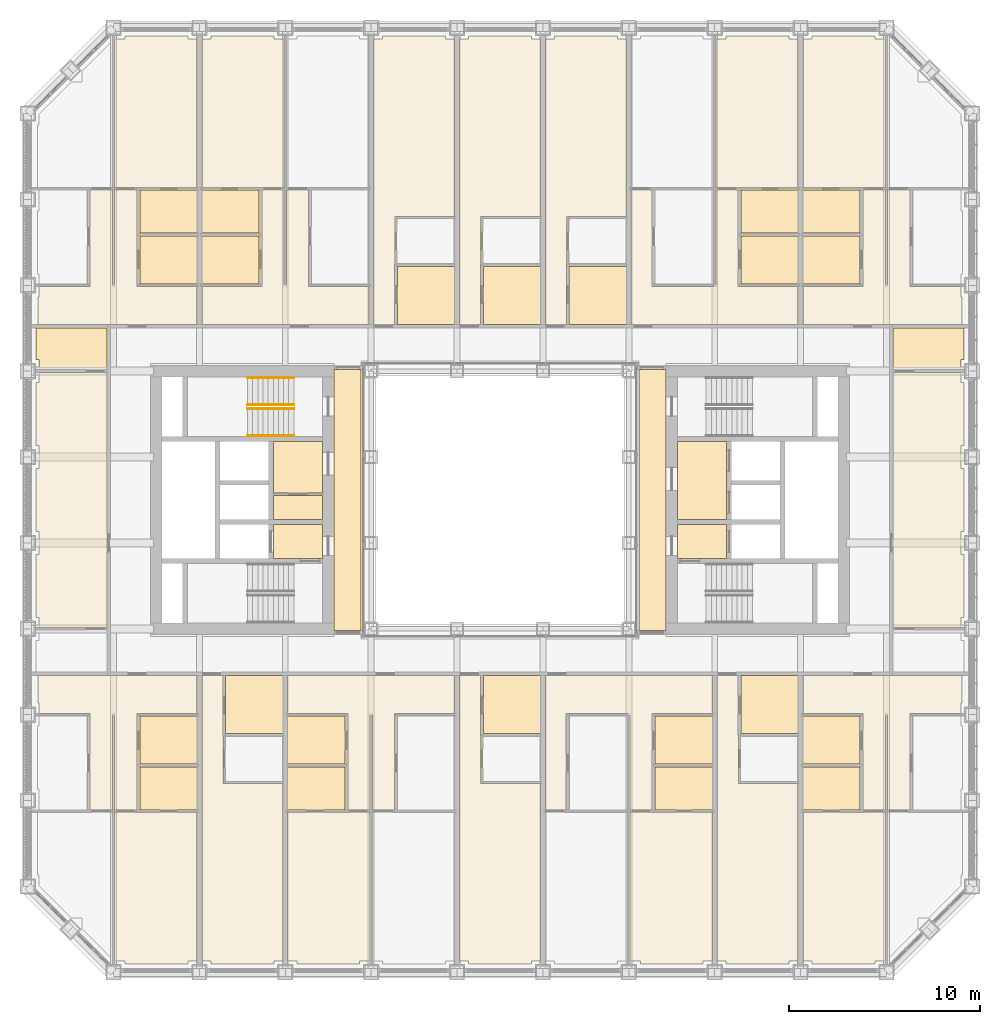
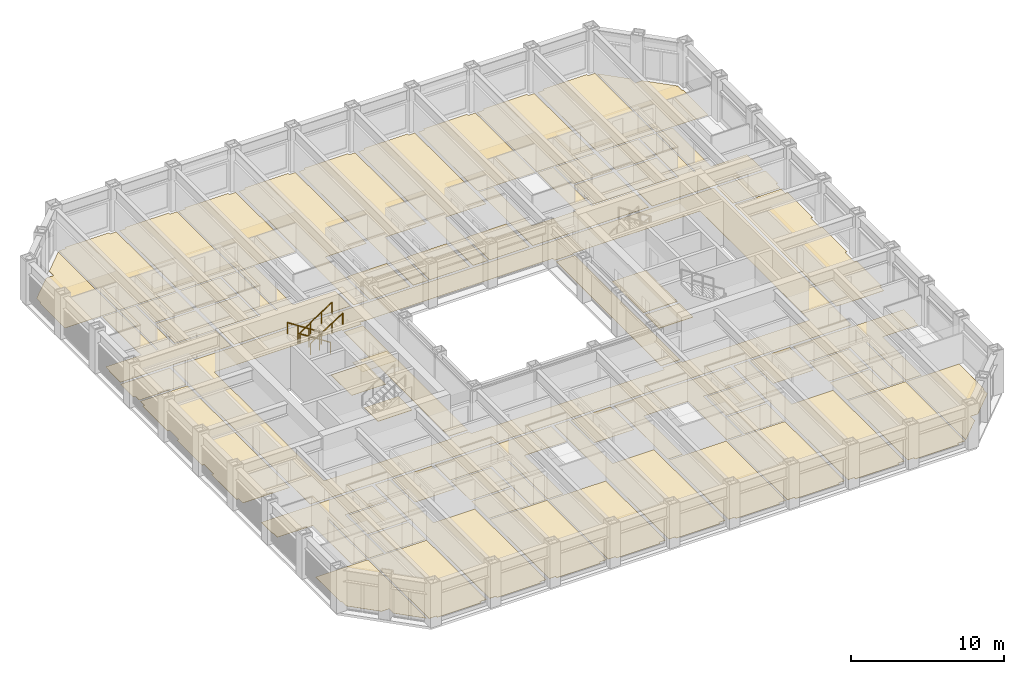
# One storey, part 18 of 21: 5 coverings, 4 railings.
"""IFC4 building model written with IfcOpenShell, lengths in metres."""

import ifcopenshell
import ifcopenshell.guid

model = None  # the IFC model being written
_history = None  # IfcOwnerHistory: only IFC2X3 demands one
_inside = {}  # id of a spatial element -> (the spatial element, [elements in it])
_under = {}  # id of a project, library or spatial element -> (it, [spatial elements below it])
_declared = {}  # id of a project -> (the project, [libraries it declares])
_typed = {}  # id of a type object -> (the type object, [elements of that type])
_made_of = {}  # id of a material, layer set ... -> (it, [elements and type objects made of it])


def new_model(schema):
    """Start an empty IFC model of exactly this schema.

    Asked for "IFC4X3", IfcOpenShell would pick the latest addendum, in which some entities
    have other attributes; the version numbers below select the first issue.
    IFC2X3 requires an IfcOwnerHistory on every rooted entity: one is made here for all.
    """
    global model, _history
    if schema == "IFC4X3":
        model = ifcopenshell.file(schema_version=(4, 3, 0, 0))
    else:
        model = ifcopenshell.file(schema=schema)
    _inside.clear()
    _under.clear()
    _declared.clear()
    _typed.clear()
    _made_of.clear()
    _history = None
    if model.schema == "IFC2X3":
        org = make("IfcOrganization", Name="unknown")
        user = make(
            "IfcPersonAndOrganization",
            ThePerson=make("IfcPerson", FamilyName="unknown"),
            TheOrganization=org,
        )
        app = make(
            "IfcApplication",
            ApplicationDeveloper=org,
            Version="unknown",
            ApplicationFullName="unknown",
            ApplicationIdentifier="unknown",
        )
        _history = make(
            "IfcOwnerHistory",
            OwningUser=user,
            OwningApplication=app,
            ChangeAction="ADDED",
            CreationDate=0,
        )
    return model


def make(cls, **values):
    """One entity of the class cls with the attributes given. An attribute that is None is left unset."""
    return model.create_entity(
        cls, **{name: value for name, value in values.items() if value is not None}
    )


def rooted(cls, **values):
    """An entity with a GlobalId (a new one), such as an element, a storey or a relation."""
    return make(cls, GlobalId=ifcopenshell.guid.new(), OwnerHistory=_history, **values)


def si_unit(unit_type, name, prefix=None):
    """IfcSIUnit, for example si_unit("LENGTHUNIT", "METRE", prefix="MILLI")."""
    return make("IfcSIUnit", UnitType=unit_type, Prefix=prefix, Name=name)


def assignment(units):
    """IfcUnitAssignment: the units of a project."""
    return None if units is None else make("IfcUnitAssignment", Units=units)


def point(xyz):
    """IfcCartesianPoint."""
    return None if xyz is None else make("IfcCartesianPoint", Coordinates=xyz)


def direction(xyz):
    """IfcDirection."""
    return None if xyz is None else make("IfcDirection", DirectionRatios=xyz)


def frame(location, z_axis=None, x_axis=None):
    """IfcAxis2Placement3D, a coordinate frame: its origin and axes. An axis left out is left unset."""
    return make(
        "IfcAxis2Placement3D",
        Location=point(location),
        Axis=direction(z_axis),
        RefDirection=direction(x_axis),
    )


def frame_2d(location, x_axis=None):
    """IfcAxis2Placement2D, a coordinate frame in the plane: its origin and x axis."""
    return make(
        "IfcAxis2Placement2D", Location=point(location), RefDirection=direction(x_axis)
    )


def origin():
    """The frame at (0, 0, 0) with its axes left unset."""
    return frame((0.0, 0.0, 0.0))


def origin_2d():
    """The frame at (0, 0) in the plane with its x axis left unset."""
    return frame_2d((0.0, 0.0))


def place(relative_to, where):
    """IfcLocalPlacement: puts the frame where relative to a parent placement (None: the world)."""
    return make(
        "IfcLocalPlacement", PlacementRelTo=relative_to, RelativePlacement=where
    )


def context(
    kind, dimensions, precision=None, world=None, true_north=None, identifier=None
):
    """IfcGeometricRepresentationContext, for example the 3D "Model" context."""
    return make(
        "IfcGeometricRepresentationContext",
        ContextIdentifier=identifier,
        ContextType=kind,
        CoordinateSpaceDimension=dimensions,
        Precision=precision,
        WorldCoordinateSystem=world,
        TrueNorth=true_north,
    )


def subcontext(parent, identifier, kind, view, scale=None):
    """IfcGeometricRepresentationSubContext, for example "Body" below "Model"."""
    return make(
        "IfcGeometricRepresentationSubContext",
        ContextIdentifier=identifier,
        ContextType=kind,
        ParentContext=parent,
        TargetScale=scale,
        TargetView=view,
    )


def project(units=None, contexts=None):
    """IfcProject with its units and contexts."""
    return rooted(
        "IfcProject",
        Name="project",
        RepresentationContexts=contexts,
        UnitsInContext=assignment(units),
    )


def spatial(cls, under=None, at=None, **own):
    """A site, building, storey or space (cls), placed at a placement, below another one or the project."""
    s = rooted(cls, ObjectPlacement=at, **own)
    if under is not None:
        _under.setdefault(under.id(), (under, []))[1].append(s)
    return s


def point_list(points):
    """IfcCartesianPointList2D or 3D."""
    cls = (
        "IfcCartesianPointList2D" if len(points[0]) == 2 else "IfcCartesianPointList3D"
    )
    return make(cls, CoordList=points)


def line(*indices):
    """IfcLineIndex: a straight run through numbered points of an indexed curve."""
    return model.create_entity("IfcLineIndex", indices)


def indexed_curve(points, segments=None, self_intersect=None):
    """IfcIndexedPolyCurve: lines and arcs through numbered points (the first is 1)."""
    return make(
        "IfcIndexedPolyCurve",
        Points=point_list(points),
        Segments=segments,
        SelfIntersect=self_intersect,
    )


def profile(cls, at=None, kind="AREA", **sizes):
    """A parametric profile (cls). Its sizes go by their IFC names, for example OverallWidth=200.0."""
    return make(cls, ProfileType=kind, Position=at, **sizes)


def circle(**sizes):
    """IfcCircleProfileDef."""
    return profile("IfcCircleProfileDef", **sizes)


def outline(outer, holes=None, kind="AREA"):
    """IfcArbitraryClosedProfileDef: a profile drawn as a closed curve; with holes, ...WithVoids."""
    if holes is None:
        return make("IfcArbitraryClosedProfileDef", ProfileType=kind, OuterCurve=outer)
    return make(
        "IfcArbitraryProfileDefWithVoids",
        ProfileType=kind,
        OuterCurve=outer,
        InnerCurves=holes,
    )


def extrude(swept, where, along, depth):
    """IfcExtrudedAreaSolid: the profile swept, set in the frame where, extruded along a direction by depth."""
    return make(
        "IfcExtrudedAreaSolid",
        SweptArea=swept,
        Position=where,
        ExtrudedDirection=direction(along),
        Depth=depth,
    )


def shape(context_of_items, identifier, shape_type, items):
    """IfcShapeRepresentation: the items that make up one representation, for example the "Body"."""
    return make(
        "IfcShapeRepresentation",
        ContextOfItems=context_of_items,
        RepresentationIdentifier=identifier,
        RepresentationType=shape_type,
        Items=items,
    )


def material(Name=None, Category=None):
    """IfcMaterial."""
    return make("IfcMaterial", Name=Name, Category=Category)


def layer(
    of_material, thickness, ventilated=None, Name=None, Category=None, Priority=None
):
    """IfcMaterialLayer: one layer of a wall or slab, of a material (None: an air gap)."""
    return make(
        "IfcMaterialLayer",
        Material=of_material,
        LayerThickness=thickness,
        IsVentilated=ventilated,
        Name=Name,
        Category=Category,
        Priority=Priority,
    )


def layer_set(layers, Name=None):
    """IfcMaterialLayerSet."""
    return make("IfcMaterialLayerSet", MaterialLayers=layers, LayerSetName=Name)


def made_of(thing, what):
    """Note that an element or type object is made of a material, layer set ...; save() writes the relation."""
    if what is not None:
        _made_of.setdefault(what.id(), (what, []))[1].append(thing)
    return thing


def type_object(cls, material=None, **own):
    """A type object (cls), such as IfcWallType, which elements share."""
    return made_of(rooted(cls, **own), material)


def element(
    cls,
    number,
    at=None,
    inside=None,
    cuts=None,
    type_object=None,
    material=None,
    context=None,
    identifier="Body",
    shape_type=None,
    held_by="IfcProductDefinitionShape",
    body=None,
    shapes=None,
    **own,
):
    """One element of the class cls, such as IfcWall. Its Tag is "e" and its number.

    at: its placement. inside: the storey or other place that contains it. cuts: it is an
    opening in that element (IfcRelVoidsElement). A single representation is given by context,
    identifier, shape_type and body (its items); several are given by shapes. held_by: the class
    of the entity that holds the representations. save() writes the other relations.
    """
    e = rooted(cls, Tag="e%d" % number, ObjectPlacement=at, **own)
    if body is not None:
        shapes = [shape(context, identifier, shape_type, body)]
    if shapes is not None:
        e.Representation = make(held_by, Representations=shapes)
    if inside is not None:
        _inside.setdefault(inside.id(), (inside, []))[1].append(e)
    if cuts is not None:
        rooted(
            "IfcRelVoidsElement", RelatingBuildingElement=cuts, RelatedOpeningElement=e
        )
    if type_object is not None:
        _typed.setdefault(type_object.id(), (type_object, []))[1].append(e)
    return made_of(e, material)


def aggregate(whole, parts):
    """IfcRelAggregates: a whole, such as a stair, and the parts it consists of."""
    return rooted("IfcRelAggregates", RelatingObject=whole, RelatedObjects=parts)


def save(model, path):
    """Write the relations noted so far, then the file.

    IfcRelAggregates (storeys below a building ...), IfcRelContainedInSpatialStructure (elements
    in a storey), IfcRelDefinesByType, IfcRelAssociatesMaterial and IfcRelDeclares: one each for
    every whole, place, type object, material and project.
    """
    for whole, parts in _under.values():
        aggregate(whole, parts)
    for where, things in _inside.values():
        rooted(
            "IfcRelContainedInSpatialStructure",
            RelatedElements=things,
            RelatingStructure=where,
        )
    for kind, things in _typed.values():
        rooted("IfcRelDefinesByType", RelatedObjects=things, RelatingType=kind)
    for what, things in _made_of.values():
        rooted("IfcRelAssociatesMaterial", RelatedObjects=things, RelatingMaterial=what)
    for by, libraries in _declared.values():
        rooted("IfcRelDeclares", RelatingContext=by, RelatedDefinitions=libraries)
    model.write(path)


model = new_model("IFC4")

# Units and contexts
model_context = context("Model", 3, precision=1e-05, world=origin(), true_north=direction((0.0, 1.0)))
body_context = subcontext(model_context, "Body", "Model", "MODEL_VIEW")
ifc_project = project(units=[si_unit("LENGTHUNIT", "METRE"), si_unit("AREAUNIT", "SQUARE_METRE"), si_unit("VOLUMEUNIT", "CUBIC_METRE"), si_unit("PLANEANGLEUNIT", "RADIAN"), si_unit("MASSUNIT", "GRAM", prefix="KILO")], contexts=[model_context])

# Site, building, storey
site_placement = place(None, origin())
site = spatial("IfcSite", under=ifc_project, at=site_placement, CompositionType="ELEMENT")
building_placement = place(site_placement, origin())
building = spatial("IfcBuilding", under=site, at=building_placement, Name="Msasa Ring Tower", CompositionType="ELEMENT")
storey_placement = place(building_placement, frame((0.0, 0.0, 40.5)))
storey = spatial("IfcBuildingStorey", under=building, at=storey_placement, Name="L09", CompositionType="ELEMENT", Elevation=40.5)

# Coverings
ifc_material_1 = material(Name="Mineral fibre ceiling tiles on an exposed steel grid", Category="steel")
ifc_layer_1 = layer(ifc_material_1, 0.02001953125)
ifc_layer_set_1 = layer_set([ifc_layer_1], Name="C3 ACOUSTIC MINERAL FIBRE TILE CEILING 20")
covering_type_1 = type_object("IfcCoveringType", Name="C3 ACOUSTIC MINERAL FIBRE TILE CEILING 20", PredefinedType="CEILING", material=ifc_layer_set_1)
covering_1_placement = place(storey_placement, frame((0.0, 0.0, 2.699951171875)))
element("IfcCovering", 1, at=covering_1_placement, inside=storey, type_object=covering_type_1, Name="Acoustic Mineral Fibre Tile Ceiling 20 L09", PredefinedType="CEILING", context=body_context, shape_type="SweptSolid", body=[
    extrude(outline(indexed_curve([(-11.87451171875, 0.244384765625), (-9.300537109375, 0.244384765625), (-9.300537109375, -1.0244140625), (-11.87451171875, -1.0244140625)], segments=[line(1, 2, 3, 4, 1)], self_intersect=False)), origin(), (0.0, 0.0, 1.0), 0.02001953125),
])
ifc_material_2 = material(Name="Honed granite tiles on a mortar bed", Category="masonry")
ifc_layer_2 = layer(ifc_material_2, 0.030029296875)
ifc_layer_set_2 = layer_set([ifc_layer_2], Name="F1 HONED GRANITE ON BEDDING 30")
covering_type_2 = type_object("IfcCoveringType", Name="F1 HONED GRANITE ON BEDDING 30", PredefinedType="FLOORING", material=ifc_layer_set_2)
covering_2_placement = place(storey_placement, origin())
element("IfcCovering", 2, at=covering_2_placement, inside=storey, type_object=covering_type_2, Name="Honed Granite On Bedding 30 L09", PredefinedType="FLOORING", context=body_context, shape_type="SweptSolid", body=[
    extrude(outline(indexed_curve([(-11.87451171875, -3.074462890625), (-11.87451171875, -1.275390625), (-9.300537109375, -1.275390625), (-9.300537109375, -3.074462890625)], segments=[line(1, 2, 3, 4, 1)], self_intersect=False)), origin(), (0.0, 0.0, 1.0), 0.030029296875),
    extrude(outline(indexed_curve([(-8.699462890625, -6.849609375), (-8.699462890625, 6.849609375), (-7.280029296875, 6.849609375), (-7.280029296875, -6.849609375)], segments=[line(1, 2, 3, 4, 1)], self_intersect=False)), origin(), (0.0, 0.0, 1.0), 0.030029296875),
    extrude(outline(indexed_curve([(8.699462890625, 6.849609375), (8.699462890625, -6.849609375), (7.280029296875, -6.849609375), (7.280029296875, 6.849609375)], segments=[line(1, 2, 3, 4, 1)], self_intersect=False)), origin(), (0.0, 0.0, 1.0), 0.030029296875),
    extrude(outline(indexed_curve([(9.300537109375, -3.074462890625), (9.300537109375, -1.275390625), (11.87451171875, -1.275390625), (11.87451171875, -3.074462890625)], segments=[line(1, 2, 3, 4, 1)], self_intersect=False)), origin(), (0.0, 0.0, 1.0), 0.030029296875),
    extrude(outline(indexed_curve([(9.300537109375, 3.074462890625), (11.87451171875, 3.074462890625), (11.87451171875, -1.0244140625), (9.300537109375, -1.0244140625)], segments=[line(1, 2, 3, 4, 1)], self_intersect=False)), origin(), (0.0, 0.0, 1.0), 0.030029296875),
])
ifc_material_3 = material(Name="Wool-blend carpet on felt underlay", Category="textile")
ifc_layer_3 = layer(ifc_material_3, 0.011962890625)
ifc_layer_set_3 = layer_set([ifc_layer_3], Name="F2 CARPET ON UNDERLAY 12")
covering_type_3 = type_object("IfcCoveringType", Name="F2 CARPET ON UNDERLAY 12", PredefinedType="FLOORING", material=ifc_layer_set_3)
covering_3_placement = place(storey_placement, origin())
element("IfcCovering", 3, at=covering_3_placement, inside=storey, type_object=covering_type_3, Name="Carpet On Underlay 12 L09", PredefinedType="FLOORING", context=body_context, shape_type="SweptSolid", body=[
    extrude(outline(indexed_curve([(-20.310546875, -24.052490234375), (-21.8994140625, -22.46337890625), (-21.8994140625, -21.8994140625), (-22.46337890625, -21.8994140625), (-24.1494140625, -20.21337890625), (-24.1494140625, -19.6494140625), (-24.239501953125, -19.6494140625), (-24.239501953125, -16.35546875), (-20.310546875, -16.35546875)], segments=[line(1, 2, 3, 4, 5, 6, 7, 8, 9, 1)], self_intersect=False)), origin(), (0.0, 0.0, 1.0), 0.011962890625),
    extrude(outline(indexed_curve([(-22.46337890625, 21.8994140625), (-21.8994140625, 21.8994140625), (-21.8994140625, 22.46337890625), (-20.310546875, 24.052490234375), (-20.310546875, 16.35546875), (-24.239501953125, 16.35546875), (-24.239501953125, 19.6494140625), (-24.1494140625, 19.6494140625), (-24.1494140625, 20.21337890625)], segments=[line(1, 2, 3, 4, 5, 6, 7, 8, 9, 1)], self_intersect=False)), origin(), (0.0, 0.0, 1.0), 0.011962890625),
    extrude(outline(indexed_curve([(-20.3994140625, 8.99951171875), (20.3994140625, 8.99951171875), (20.3994140625, -8.99951171875), (-20.3994140625, -8.99951171875)], segments=[line(1, 2, 3, 4, 1)], self_intersect=False), holes=[indexed_curve([(8.699462890625, -7.150390625), (18.300537109375, -7.150390625), (18.300537109375, 7.150390625), (8.699462890625, 7.150390625), (8.699462890625, 7.050537109375), (7.280029296875, 7.050537109375), (7.275390625, 7.275390625), (7.22998046875, 7.280029296875), (-7.22998046875, 7.280029296875), (-7.275390625, 7.275390625), (-7.280029296875, 7.050537109375), (-8.699462890625, 7.050537109375), (-8.699462890625, 7.150390625), (-18.300537109375, 7.150390625), (-18.300537109375, -7.150390625), (-8.699462890625, -7.150390625), (-8.699462890625, -7.050537109375), (-7.280029296875, -7.050537109375), (-7.275390625, -7.275390625), (-7.22998046875, -7.280029296875), (7.22998046875, -7.280029296875), (7.275390625, -7.275390625), (7.280029296875, -7.050537109375), (8.699462890625, -7.050537109375)], segments=[line(1, 2, 3, 4, 5, 6, 7, 8, 9, 10, 11, 12, 13, 14, 15, 16, 17, 18, 19, 20, 21, 22, 23, 24, 1)], self_intersect=False)]), origin(), (0.0, 0.0, 1.0), 0.011962890625),
    extrude(outline(indexed_curve([(-15.87548828125, -13.98046875), (-15.87548828125, -16.244384765625), (-18.869384765625, -16.244384765625), (-18.869384765625, -13.98046875)], segments=[line(1, 2, 3, 4, 1)], self_intersect=False)), origin(), (0.0, 0.0, 1.0), 0.011962890625),
    extrude(outline(indexed_curve([(-15.87548828125, 16.244384765625), (-15.87548828125, 13.98046875), (-18.869384765625, 13.98046875), (-18.869384765625, 16.244384765625)], segments=[line(1, 2, 3, 4, 1)], self_intersect=False)), origin(), (0.0, 0.0, 1.0), 0.011962890625),
    extrude(outline(indexed_curve([(-12.630615234375, 16.244384765625), (-12.630615234375, 13.98046875), (-15.62451171875, 13.98046875), (-15.62451171875, 16.244384765625)], segments=[line(1, 2, 3, 4, 1)], self_intersect=False)), origin(), (0.0, 0.0, 1.0), 0.011962890625),
    extrude(outline(indexed_curve([(-9.300537109375, 3.074462890625), (-9.300537109375, 0.35546875), (-11.87451171875, 0.35546875), (-11.87451171875, 3.074462890625)], segments=[line(1, 2, 3, 4, 1)], self_intersect=False)), origin(), (0.0, 0.0, 1.0), 0.011962890625),
    extrude(outline(indexed_curve([(-7.3505859375, 24.299560546875), (-7.3505859375, 24.1494140625), (-6.87548828125, 24.1494140625), (-6.87548828125, 16.35546875), (-11.189453125, 16.35546875), (-11.189453125, 24.1494140625), (-10.6494140625, 24.1494140625), (-10.6494140625, 24.299560546875)], segments=[line(1, 2, 3, 4, 5, 6, 7, 8, 1)], self_intersect=False)), origin(), (0.0, 0.0, 1.0), 0.011962890625),
    extrude(outline(indexed_curve([(-8.130615234375, -13.98046875), (-8.130615234375, -16.244384765625), (-11.12451171875, -16.244384765625), (-11.12451171875, -13.98046875)], segments=[line(1, 2, 3, 4, 1)], self_intersect=False)), origin(), (0.0, 0.0, 1.0), 0.011962890625),
    extrude(outline(indexed_curve([(-6.1494140625, -24.299560546875), (-6.1494140625, -24.1494140625), (-6.689453125, -24.1494140625), (-6.689453125, -16.35546875), (-2.37548828125, -16.35546875), (-2.37548828125, -24.1494140625), (-2.8505859375, -24.1494140625), (-2.8505859375, -24.299560546875)], segments=[line(1, 2, 3, 4, 5, 6, 7, 8, 1)], self_intersect=False)), origin(), (0.0, 0.0, 1.0), 0.011962890625),
    extrude(outline(indexed_curve([(6.689453125, -24.1494140625), (6.1494140625, -24.1494140625), (6.1494140625, -24.299560546875), (2.8505859375, -24.299560546875), (2.8505859375, -24.1494140625), (2.37548828125, -24.1494140625), (2.37548828125, -16.35546875), (6.689453125, -16.35546875)], segments=[line(1, 2, 3, 4, 5, 6, 7, 8, 1)], self_intersect=False)), origin(), (0.0, 0.0, 1.0), 0.011962890625),
    extrude(outline(indexed_curve([(10.6494140625, 24.299560546875), (10.6494140625, 24.1494140625), (11.189453125, 24.1494140625), (11.189453125, 16.35546875), (6.87548828125, 16.35546875), (6.87548828125, 24.1494140625), (7.3505859375, 24.1494140625), (7.3505859375, 24.299560546875)], segments=[line(1, 2, 3, 4, 5, 6, 7, 8, 1)], self_intersect=False)), origin(), (0.0, 0.0, 1.0), 0.011962890625),
    extrude(outline(indexed_curve([(11.12451171875, -13.98046875), (11.12451171875, -16.244384765625), (8.130615234375, -16.244384765625), (8.130615234375, -13.98046875)], segments=[line(1, 2, 3, 4, 1)], self_intersect=False)), origin(), (0.0, 0.0, 1.0), 0.011962890625),
    extrude(outline(indexed_curve([(15.62451171875, 16.244384765625), (15.62451171875, 13.98046875), (12.630615234375, 13.98046875), (12.630615234375, 16.244384765625)], segments=[line(1, 2, 3, 4, 1)], self_intersect=False)), origin(), (0.0, 0.0, 1.0), 0.011962890625),
    extrude(outline(indexed_curve([(18.869384765625, -13.98046875), (18.869384765625, -16.244384765625), (15.87548828125, -16.244384765625), (15.87548828125, -13.98046875)], segments=[line(1, 2, 3, 4, 1)], self_intersect=False)), origin(), (0.0, 0.0, 1.0), 0.011962890625),
    extrude(outline(indexed_curve([(18.869384765625, 16.244384765625), (18.869384765625, 13.98046875), (15.87548828125, 13.98046875), (15.87548828125, 16.244384765625)], segments=[line(1, 2, 3, 4, 1)], self_intersect=False)), origin(), (0.0, 0.0, 1.0), 0.011962890625),
    extrude(outline(indexed_curve([(24.239501953125, -19.6494140625), (24.1494140625, -19.6494140625), (24.1494140625, -20.21337890625), (22.46337890625, -21.8994140625), (21.8994140625, -21.8994140625), (21.8994140625, -22.46337890625), (20.310546875, -24.052490234375), (20.310546875, -16.35546875), (24.239501953125, -16.35546875)], segments=[line(1, 2, 3, 4, 5, 6, 7, 8, 9, 1)], self_intersect=False)), origin(), (0.0, 0.0, 1.0), 0.011962890625),
    extrude(outline(indexed_curve([(21.8994140625, 22.46337890625), (21.8994140625, 21.8994140625), (22.46337890625, 21.8994140625), (24.1494140625, 20.21337890625), (24.1494140625, 19.6494140625), (24.239501953125, 19.6494140625), (24.239501953125, 16.35546875), (20.310546875, 16.35546875), (20.310546875, 24.052490234375)], segments=[line(1, 2, 3, 4, 5, 6, 7, 8, 9, 1)], self_intersect=False)), origin(), (0.0, 0.0, 1.0), 0.011962890625),
])
ifc_material_4 = material(Name="Engineered oak boards on an acoustic underlay", Category="wood")
ifc_layer_4 = layer(ifc_material_4, 0.01806640625)
ifc_layer_set_4 = layer_set([ifc_layer_4], Name="F3 ENGINEERED TIMBER ON ACOUSTIC UNDERLAY 18")
covering_type_4 = type_object("IfcCoveringType", Name="F3 ENGINEERED TIMBER ON ACOUSTIC UNDERLAY 18", PredefinedType="FLOORING", material=ifc_layer_set_4)
covering_4_placement = place(storey_placement, origin())
element("IfcCovering", 4, at=covering_4_placement, inside=storey, type_object=covering_type_4, Name="Engineered Timber On Acoustic Underlay 18 L09", PredefinedType="FLOORING", context=body_context, shape_type="SweptSolid", body=[
    extrude(outline(indexed_curve([(-24.1494140625, -6.694580078125), (-24.1494140625, -6.1494140625), (-24.299560546875, -6.1494140625), (-24.299560546875, -2.8505859375), (-24.1494140625, -2.8505859375), (-24.1494140625, -1.6494140625), (-24.299560546875, -1.6494140625), (-24.299560546875, 1.6494140625), (-24.1494140625, 1.6494140625), (-24.1494140625, 2.8505859375), (-24.299560546875, 2.8505859375), (-24.299560546875, 6.1494140625), (-24.1494140625, 6.1494140625), (-24.1494140625, 6.66943359375), (-20.6005859375, 6.66943359375), (-20.6005859375, -6.694580078125)], segments=[line(1, 2, 3, 4, 5, 6, 7, 8, 9, 10, 11, 12, 13, 14, 15, 16, 1)], self_intersect=False)), origin(), (0.0, 0.0, 1.0), 0.01806640625),
    extrude(outline(indexed_curve([(-20.310546875, -16.244384765625), (-21.469482421875, -16.244384765625), (-21.469482421875, -11.199462890625), (-24.1494140625, -11.199462890625), (-24.1494140625, -10.6494140625), (-24.199462890625, -10.6494140625), (-24.199462890625, -9.200439453125), (-15.87548828125, -9.200439453125), (-15.87548828125, -11.199462890625), (-19.030517578125, -11.199462890625), (-19.030517578125, -16.244384765625), (-20.189453125, -16.244384765625), (-20.189453125, -11.199462890625), (-20.310546875, -11.199462890625)], segments=[line(1, 2, 3, 4, 5, 6, 7, 8, 9, 10, 11, 12, 13, 14, 1)], self_intersect=False)), origin(), (0.0, 0.0, 1.0), 0.01806640625),
    extrude(outline(indexed_curve([(-20.189453125, 16.244384765625), (-19.030517578125, 16.244384765625), (-19.030517578125, 11.199462890625), (-15.87548828125, 11.199462890625), (-15.87548828125, 9.200439453125), (-24.199462890625, 9.200439453125), (-24.199462890625, 10.6494140625), (-24.1494140625, 10.6494140625), (-24.1494140625, 11.199462890625), (-21.469482421875, 11.199462890625), (-21.469482421875, 16.244384765625), (-20.310546875, 16.244384765625), (-20.310546875, 11.199462890625), (-20.189453125, 11.199462890625)], segments=[line(1, 2, 3, 4, 5, 6, 7, 8, 9, 10, 11, 12, 13, 14, 1)], self_intersect=False)), origin(), (0.0, 0.0, 1.0), 0.01806640625),
    extrude(outline(indexed_curve([(-15.87548828125, -16.35546875), (-15.87548828125, -24.1494140625), (-16.3505859375, -24.1494140625), (-16.3505859375, -24.299560546875), (-19.6494140625, -24.299560546875), (-19.6494140625, -24.1494140625), (-20.189453125, -24.1494140625), (-20.189453125, -16.35546875)], segments=[line(1, 2, 3, 4, 5, 6, 7, 8, 1)], self_intersect=False)), origin(), (0.0, 0.0, 1.0), 0.01806640625),
    extrude(outline(indexed_curve([(-20.189453125, 24.1494140625), (-19.6494140625, 24.1494140625), (-19.6494140625, 24.299560546875), (-16.3505859375, 24.299560546875), (-16.3505859375, 24.1494140625), (-15.87548828125, 24.1494140625), (-15.87548828125, 16.35546875), (-20.189453125, 16.35546875)], segments=[line(1, 2, 3, 4, 5, 6, 7, 8, 1)], self_intersect=False)), origin(), (0.0, 0.0, 1.0), 0.01806640625),
    extrude(outline(indexed_curve([(-14.525390625, -9.200439453125), (-14.525390625, -12.35009765625), (-14.50048828125, -12.35009765625), (-14.50048828125, -14.8505859375), (-11.37548828125, -14.8505859375), (-11.37548828125, -24.1494140625), (-11.8505859375, -24.1494140625), (-11.8505859375, -24.299560546875), (-15.1494140625, -24.299560546875), (-15.1494140625, -24.1494140625), (-15.62451171875, -24.1494140625), (-15.62451171875, -9.200439453125)], segments=[line(1, 2, 3, 4, 5, 6, 7, 8, 9, 10, 11, 12, 1)], self_intersect=False)), origin(), (0.0, 0.0, 1.0), 0.01806640625),
    extrude(outline(indexed_curve([(-11.189453125, 16.244384765625), (-10.030517578125, 16.244384765625), (-10.030517578125, 11.199462890625), (-6.87548828125, 11.199462890625), (-6.87548828125, 9.200439453125), (-15.62451171875, 9.200439453125), (-15.62451171875, 11.199462890625), (-12.469482421875, 11.199462890625), (-12.469482421875, 16.244384765625), (-11.310546875, 16.244384765625), (-11.310546875, 11.199462890625), (-11.189453125, 11.199462890625)], segments=[line(1, 2, 3, 4, 5, 6, 7, 8, 9, 10, 11, 12, 1)], self_intersect=False)), origin(), (0.0, 0.0, 1.0), 0.01806640625),
    extrude(outline(indexed_curve([(-11.8505859375, 24.299560546875), (-11.8505859375, 24.1494140625), (-11.310546875, 24.1494140625), (-11.310546875, 16.35546875), (-15.62451171875, 16.35546875), (-15.62451171875, 24.1494140625), (-15.1494140625, 24.1494140625), (-15.1494140625, 24.299560546875)], segments=[line(1, 2, 3, 4, 5, 6, 7, 8, 1)], self_intersect=False)), origin(), (0.0, 0.0, 1.0), 0.01806640625),
    extrude(outline(indexed_curve([(-10.6494140625, -24.299560546875), (-10.6494140625, -24.1494140625), (-11.12451171875, -24.1494140625), (-11.12451171875, -16.35546875), (-6.810546875, -16.35546875), (-6.810546875, -24.1494140625), (-7.3505859375, -24.1494140625), (-7.3505859375, -24.299560546875)], segments=[line(1, 2, 3, 4, 5, 6, 7, 8, 1)], self_intersect=False)), origin(), (0.0, 0.0, 1.0), 0.01806640625),
    extrude(outline(indexed_curve([(-6.810546875, -16.244384765625), (-7.969482421875, -16.244384765625), (-7.969482421875, -11.199462890625), (-11.12451171875, -11.199462890625), (-11.12451171875, -9.200439453125), (-2.37548828125, -9.200439453125), (-2.37548828125, -11.199462890625), (-5.530517578125, -11.199462890625), (-5.530517578125, -16.244384765625), (-6.689453125, -16.244384765625), (-6.689453125, -11.199462890625), (-6.810546875, -11.199462890625)], segments=[line(1, 2, 3, 4, 5, 6, 7, 8, 9, 10, 11, 12, 1)], self_intersect=False)), origin(), (0.0, 0.0, 1.0), 0.01806640625),
    extrude(outline(indexed_curve([(-2.8505859375, 24.299560546875), (-2.8505859375, 24.1494140625), (-2.37548828125, 24.1494140625), (-2.37548828125, 14.8505859375), (-5.50048828125, 14.8505859375), (-5.50048828125, 12.35009765625), (-5.525390625, 12.35009765625), (-5.525390625, 9.200439453125), (-6.62451171875, 9.200439453125), (-6.62451171875, 24.1494140625), (-6.1494140625, 24.1494140625), (-6.1494140625, 24.299560546875)], segments=[line(1, 2, 3, 4, 5, 6, 7, 8, 9, 10, 11, 12, 1)], self_intersect=False)), origin(), (0.0, 0.0, 1.0), 0.01806640625),
    extrude(outline(indexed_curve([(-1.025390625, -9.200439453125), (-1.025390625, -12.35009765625), (-1.00048828125, -12.35009765625), (-1.00048828125, -14.8505859375), (2.12451171875, -14.8505859375), (2.12451171875, -24.1494140625), (1.6494140625, -24.1494140625), (1.6494140625, -24.299560546875), (-1.6494140625, -24.299560546875), (-1.6494140625, -24.1494140625), (-2.12451171875, -24.1494140625), (-2.12451171875, -9.200439453125)], segments=[line(1, 2, 3, 4, 5, 6, 7, 8, 9, 10, 11, 12, 1)], self_intersect=False)), origin(), (0.0, 0.0, 1.0), 0.01806640625),
    extrude(outline(indexed_curve([(1.6494140625, 24.299560546875), (1.6494140625, 24.1494140625), (2.12451171875, 24.1494140625), (2.12451171875, 14.8505859375), (-1.00048828125, 14.8505859375), (-1.00048828125, 12.35009765625), (-1.025390625, 12.35009765625), (-1.025390625, 9.200439453125), (-2.12451171875, 9.200439453125), (-2.12451171875, 24.1494140625), (-1.6494140625, 24.1494140625), (-1.6494140625, 24.299560546875)], segments=[line(1, 2, 3, 4, 5, 6, 7, 8, 9, 10, 11, 12, 1)], self_intersect=False)), origin(), (0.0, 0.0, 1.0), 0.01806640625),
    extrude(outline(indexed_curve([(3.469482421875, -16.244384765625), (2.37548828125, -16.244384765625), (2.37548828125, -9.200439453125), (11.12451171875, -9.200439453125), (11.12451171875, -11.199462890625), (7.969482421875, -11.199462890625), (7.969482421875, -16.244384765625), (6.810546875, -16.244384765625), (6.810546875, -11.199462890625), (3.469482421875, -11.199462890625)], segments=[line(1, 2, 3, 4, 5, 6, 7, 8, 9, 10, 1)], self_intersect=False)), origin(), (0.0, 0.0, 1.0), 0.01806640625),
    extrude(outline(indexed_curve([(6.1494140625, 24.299560546875), (6.1494140625, 24.1494140625), (6.62451171875, 24.1494140625), (6.62451171875, 14.8505859375), (3.49951171875, 14.8505859375), (3.49951171875, 12.35009765625), (3.474609375, 12.35009765625), (3.474609375, 9.200439453125), (2.37548828125, 9.200439453125), (2.37548828125, 24.1494140625), (2.8505859375, 24.1494140625), (2.8505859375, 24.299560546875)], segments=[line(1, 2, 3, 4, 5, 6, 7, 8, 9, 10, 11, 12, 1)], self_intersect=False)), origin(), (0.0, 0.0, 1.0), 0.01806640625),
    extrude(outline(indexed_curve([(7.3505859375, -24.299560546875), (7.3505859375, -24.1494140625), (6.810546875, -24.1494140625), (6.810546875, -16.35546875), (11.12451171875, -16.35546875), (11.12451171875, -24.1494140625), (10.6494140625, -24.1494140625), (10.6494140625, -24.299560546875)], segments=[line(1, 2, 3, 4, 5, 6, 7, 8, 1)], self_intersect=False)), origin(), (0.0, 0.0, 1.0), 0.01806640625),
    extrude(outline(indexed_curve([(11.310546875, 11.199462890625), (11.310546875, 16.244384765625), (12.469482421875, 16.244384765625), (12.469482421875, 11.199462890625), (15.62451171875, 11.199462890625), (15.62451171875, 9.200439453125), (6.87548828125, 9.200439453125), (6.87548828125, 16.244384765625), (7.969482421875, 16.244384765625), (7.969482421875, 11.199462890625)], segments=[line(1, 2, 3, 4, 5, 6, 7, 8, 9, 10, 1)], self_intersect=False)), origin(), (0.0, 0.0, 1.0), 0.01806640625),
    extrude(outline(indexed_curve([(15.1494140625, 24.299560546875), (15.1494140625, 24.1494140625), (15.62451171875, 24.1494140625), (15.62451171875, 16.35546875), (11.310546875, 16.35546875), (11.310546875, 24.1494140625), (11.8505859375, 24.1494140625), (11.8505859375, 24.299560546875)], segments=[line(1, 2, 3, 4, 5, 6, 7, 8, 1)], self_intersect=False)), origin(), (0.0, 0.0, 1.0), 0.01806640625),
    extrude(outline(indexed_curve([(12.474609375, -9.200439453125), (12.474609375, -12.35009765625), (12.49951171875, -12.35009765625), (12.49951171875, -14.8505859375), (15.62451171875, -14.8505859375), (15.62451171875, -24.1494140625), (15.1494140625, -24.1494140625), (15.1494140625, -24.299560546875), (11.8505859375, -24.299560546875), (11.8505859375, -24.1494140625), (11.37548828125, -24.1494140625), (11.37548828125, -9.200439453125)], segments=[line(1, 2, 3, 4, 5, 6, 7, 8, 9, 10, 11, 12, 1)], self_intersect=False)), origin(), (0.0, 0.0, 1.0), 0.01806640625),
    extrude(outline(indexed_curve([(20.189453125, -24.1494140625), (19.6494140625, -24.1494140625), (19.6494140625, -24.299560546875), (16.3505859375, -24.299560546875), (16.3505859375, -24.1494140625), (15.87548828125, -24.1494140625), (15.87548828125, -16.35546875), (20.189453125, -16.35546875)], segments=[line(1, 2, 3, 4, 5, 6, 7, 8, 1)], self_intersect=False)), origin(), (0.0, 0.0, 1.0), 0.01806640625),
    extrude(outline(indexed_curve([(20.189453125, -16.244384765625), (19.030517578125, -16.244384765625), (19.030517578125, -11.199462890625), (15.87548828125, -11.199462890625), (15.87548828125, -9.200439453125), (24.199462890625, -9.200439453125), (24.199462890625, -10.6494140625), (24.1494140625, -10.6494140625), (24.1494140625, -11.199462890625), (21.469482421875, -11.199462890625), (21.469482421875, -16.244384765625), (20.310546875, -16.244384765625), (20.310546875, -11.199462890625), (20.189453125, -11.199462890625)], segments=[line(1, 2, 3, 4, 5, 6, 7, 8, 9, 10, 11, 12, 13, 14, 1)], self_intersect=False)), origin(), (0.0, 0.0, 1.0), 0.01806640625),
    extrude(outline(indexed_curve([(20.310546875, 16.244384765625), (21.469482421875, 16.244384765625), (21.469482421875, 11.199462890625), (24.1494140625, 11.199462890625), (24.1494140625, 10.6494140625), (24.199462890625, 10.6494140625), (24.199462890625, 9.200439453125), (15.87548828125, 9.200439453125), (15.87548828125, 11.199462890625), (19.030517578125, 11.199462890625), (19.030517578125, 16.244384765625), (20.189453125, 16.244384765625), (20.189453125, 11.199462890625), (20.310546875, 11.199462890625)], segments=[line(1, 2, 3, 4, 5, 6, 7, 8, 9, 10, 11, 12, 13, 14, 1)], self_intersect=False)), origin(), (0.0, 0.0, 1.0), 0.01806640625),
    extrude(outline(indexed_curve([(19.6494140625, 24.299560546875), (19.6494140625, 24.1494140625), (20.189453125, 24.1494140625), (20.189453125, 16.35546875), (15.87548828125, 16.35546875), (15.87548828125, 24.1494140625), (16.3505859375, 24.1494140625), (16.3505859375, 24.299560546875)], segments=[line(1, 2, 3, 4, 5, 6, 7, 8, 1)], self_intersect=False)), origin(), (0.0, 0.0, 1.0), 0.01806640625),
    extrude(outline(indexed_curve([(24.1494140625, 6.66943359375), (24.1494140625, 6.1494140625), (24.299560546875, 6.1494140625), (24.299560546875, 2.8505859375), (24.1494140625, 2.8505859375), (24.1494140625, 1.6494140625), (24.299560546875, 1.6494140625), (24.299560546875, -1.6494140625), (24.1494140625, -1.6494140625), (24.1494140625, -2.8505859375), (24.299560546875, -2.8505859375), (24.299560546875, -6.1494140625), (24.1494140625, -6.1494140625), (24.1494140625, -6.694580078125), (20.6005859375, -6.694580078125), (20.6005859375, 6.66943359375)], segments=[line(1, 2, 3, 4, 5, 6, 7, 8, 9, 10, 11, 12, 13, 14, 15, 16, 1)], self_intersect=False)), origin(), (0.0, 0.0, 1.0), 0.01806640625),
])
ifc_material_5 = material(Name="Porcelain floor tiles in adhesive", Category="ceramic")
ifc_layer_5 = layer(ifc_material_5, 0.010009765625)
ifc_layer_set_5 = layer_set([ifc_layer_5], Name="F4 PORCELAIN TILE ON ADHESIVE 10")
covering_type_5 = type_object("IfcCoveringType", Name="F4 PORCELAIN TILE ON ADHESIVE 10", PredefinedType="FLOORING", material=ifc_layer_set_5)
covering_5_placement = place(storey_placement, origin())
element("IfcCovering", 5, at=covering_5_placement, inside=storey, type_object=covering_type_5, Name="Porcelain Tile On Adhesive 10 L09", PredefinedType="FLOORING", context=body_context, shape_type="SweptSolid", body=[
    extrude(outline(indexed_curve([(-24.1494140625, 6.83056640625), (-24.1494140625, 7.3505859375), (-24.299560546875, 7.3505859375), (-24.299560546875, 8.99951171875), (-20.6005859375, 8.99951171875), (-20.6005859375, 6.83056640625)], segments=[line(1, 2, 3, 4, 5, 6, 1)], self_intersect=False)), origin(), (0.0, 0.0, 1.0), 0.010009765625),
    extrude(outline(indexed_curve([(-15.87548828125, -11.305419921875), (-15.87548828125, -13.819580078125), (-18.869384765625, -13.819580078125), (-18.869384765625, -11.305419921875)], segments=[line(1, 2, 3, 4, 1)], self_intersect=False)), origin(), (0.0, 0.0, 1.0), 0.010009765625),
    extrude(outline(indexed_curve([(-15.87548828125, 13.819580078125), (-15.87548828125, 11.305419921875), (-18.869384765625, 11.305419921875), (-18.869384765625, 13.819580078125)], segments=[line(1, 2, 3, 4, 1)], self_intersect=False)), origin(), (0.0, 0.0, 1.0), 0.010009765625),
    extrude(outline(indexed_curve([(-12.630615234375, 13.819580078125), (-12.630615234375, 11.305419921875), (-15.62451171875, 11.305419921875), (-15.62451171875, 13.819580078125)], segments=[line(1, 2, 3, 4, 1)], self_intersect=False)), origin(), (0.0, 0.0, 1.0), 0.010009765625),
    extrude(outline(indexed_curve([(-11.37548828125, -9.200439453125), (-11.37548828125, -12.224609375), (-14.37451171875, -12.224609375), (-14.37451171875, -9.200439453125)], segments=[line(1, 2, 3, 4, 1)], self_intersect=False)), origin(), (0.0, 0.0, 1.0), 0.010009765625),
    extrude(outline(indexed_curve([(-8.130615234375, -11.305419921875), (-8.130615234375, -13.819580078125), (-11.12451171875, -13.819580078125), (-11.12451171875, -11.305419921875)], segments=[line(1, 2, 3, 4, 1)], self_intersect=False)), origin(), (0.0, 0.0, 1.0), 0.010009765625),
    extrude(outline(indexed_curve([(-5.37451171875, 9.200439453125), (-5.37451171875, 12.224609375), (-2.37548828125, 12.224609375), (-2.37548828125, 9.200439453125)], segments=[line(1, 2, 3, 4, 1)], self_intersect=False)), origin(), (0.0, 0.0, 1.0), 0.010009765625),
    extrude(outline(indexed_curve([(2.12451171875, -9.200439453125), (2.12451171875, -12.224609375), (-0.87451171875, -12.224609375), (-0.87451171875, -9.200439453125)], segments=[line(1, 2, 3, 4, 1)], self_intersect=False)), origin(), (0.0, 0.0, 1.0), 0.010009765625),
    extrude(outline(indexed_curve([(-0.87451171875, 9.200439453125), (-0.87451171875, 12.224609375), (2.12451171875, 12.224609375), (2.12451171875, 9.200439453125)], segments=[line(1, 2, 3, 4, 1)], self_intersect=False)), origin(), (0.0, 0.0, 1.0), 0.010009765625),
    extrude(outline(indexed_curve([(3.62548828125, 9.200439453125), (3.62548828125, 12.224609375), (6.62451171875, 12.224609375), (6.62451171875, 9.200439453125)], segments=[line(1, 2, 3, 4, 1)], self_intersect=False)), origin(), (0.0, 0.0, 1.0), 0.010009765625),
    extrude(outline(indexed_curve([(11.12451171875, -11.305419921875), (11.12451171875, -13.819580078125), (8.130615234375, -13.819580078125), (8.130615234375, -11.305419921875)], segments=[line(1, 2, 3, 4, 1)], self_intersect=False)), origin(), (0.0, 0.0, 1.0), 0.010009765625),
    extrude(outline(indexed_curve([(15.62451171875, -9.200439453125), (15.62451171875, -12.224609375), (12.62548828125, -12.224609375), (12.62548828125, -9.200439453125)], segments=[line(1, 2, 3, 4, 1)], self_intersect=False)), origin(), (0.0, 0.0, 1.0), 0.010009765625),
    extrude(outline(indexed_curve([(15.62451171875, 13.819580078125), (15.62451171875, 11.305419921875), (12.630615234375, 11.305419921875), (12.630615234375, 13.819580078125)], segments=[line(1, 2, 3, 4, 1)], self_intersect=False)), origin(), (0.0, 0.0, 1.0), 0.010009765625),
    extrude(outline(indexed_curve([(18.869384765625, -11.305419921875), (18.869384765625, -13.819580078125), (15.87548828125, -13.819580078125), (15.87548828125, -11.305419921875)], segments=[line(1, 2, 3, 4, 1)], self_intersect=False)), origin(), (0.0, 0.0, 1.0), 0.010009765625),
    extrude(outline(indexed_curve([(18.869384765625, 13.819580078125), (18.869384765625, 11.305419921875), (15.87548828125, 11.305419921875), (15.87548828125, 13.819580078125)], segments=[line(1, 2, 3, 4, 1)], self_intersect=False)), origin(), (0.0, 0.0, 1.0), 0.010009765625),
    extrude(outline(indexed_curve([(20.6005859375, 8.99951171875), (24.299560546875, 8.99951171875), (24.299560546875, 7.3505859375), (24.1494140625, 7.3505859375), (24.1494140625, 6.83056640625), (20.6005859375, 6.83056640625)], segments=[line(1, 2, 3, 4, 5, 6, 1)], self_intersect=False)), origin(), (0.0, 0.0, 1.0), 0.010009765625),
])

# Railings
ifc_material_6 = material(Name="Stainless steel", Category="steel")
railing_type = type_object("IfcRailingType", Name="HR1 HANDRAIL 900", PredefinedType="HANDRAIL", material=ifc_material_6)
for number, where, name in (
    (6, (-10.800048828125, 5.0, 0.175048828125), "Handrail stair SWB L09 1"),
    (7, (-10.800048828125, 6.39990234375, 0.175048828125), "Handrail stair SWB L09 2"),
):
    element("IfcRailing", number, at=place(storey_placement, frame(where)), inside=storey, type_object=railing_type, Name=name, PredefinedType="HANDRAIL", context=body_context, shape_type="SweptSolid", body=[
        extrude(circle(Radius=0.02392578125, at=origin_2d()), frame((0.0, 0.0, 0.8759765625), z_axis=(-0.839153699163, 0.0, 0.543894354798), x_axis=(0.0, -1.0, 0.0)), (0.0, 0.0, 1.0), 2.895751953125),
        extrude(circle(Radius=0.02099609375, at=origin_2d()), origin(), (0.0, 0.0, 1.0), 0.851806640625),
        extrude(circle(Radius=0.02099609375, at=origin_2d()), frame((-0.81005859375, 0.0, 0.52490234375)), (0.0, 0.0, 1.0), 0.851806640625),
        extrude(circle(Radius=0.02099609375, at=origin_2d()), frame((-1.619873046875, 0.0, 1.050048828125)), (0.0, 0.0, 1.0), 0.851806640625),
        extrude(circle(Radius=0.02099609375, at=origin_2d()), frame((-2.429931640625, 0.0, 1.574951171875)), (0.0, 0.0, 1.0), 0.851806640625),
    ])
for number, where, name in (
    (8, (-13.22998046875, 3.375, 1.925048828125), "Handrail stair SWB L09 3"),
    (9, (-13.22998046875, 4.77490234375, 1.925048828125), "Handrail stair SWB L09 4"),
):
    element("IfcRailing", number, at=place(storey_placement, frame(where)), inside=storey, type_object=railing_type, Name=name, PredefinedType="HANDRAIL", context=body_context, shape_type="SweptSolid", body=[
        extrude(circle(Radius=0.02392578125, at=origin_2d()), frame((0.0, 0.0, 0.8759765625), z_axis=(0.839153699163, 0.0, 0.543894354798), x_axis=(0.0, 1.0, 0.0)), (0.0, 0.0, 1.0), 2.895751953125),
        extrude(circle(Radius=0.02099609375, at=origin_2d()), origin(), (0.0, 0.0, 1.0), 0.851806640625),
        extrude(circle(Radius=0.02099609375, at=origin_2d()), frame((0.81005859375, 0.0, 0.52490234375)), (0.0, 0.0, 1.0), 0.851806640625),
        extrude(circle(Radius=0.02099609375, at=origin_2d()), frame((1.619873046875, 0.0, 1.050048828125)), (0.0, 0.0, 1.0), 0.851806640625),
        extrude(circle(Radius=0.02099609375, at=origin_2d()), frame((2.429931640625, 0.0, 1.574951171875)), (0.0, 0.0, 1.0), 0.851806640625),
    ])

save(model, "model.ifc")
